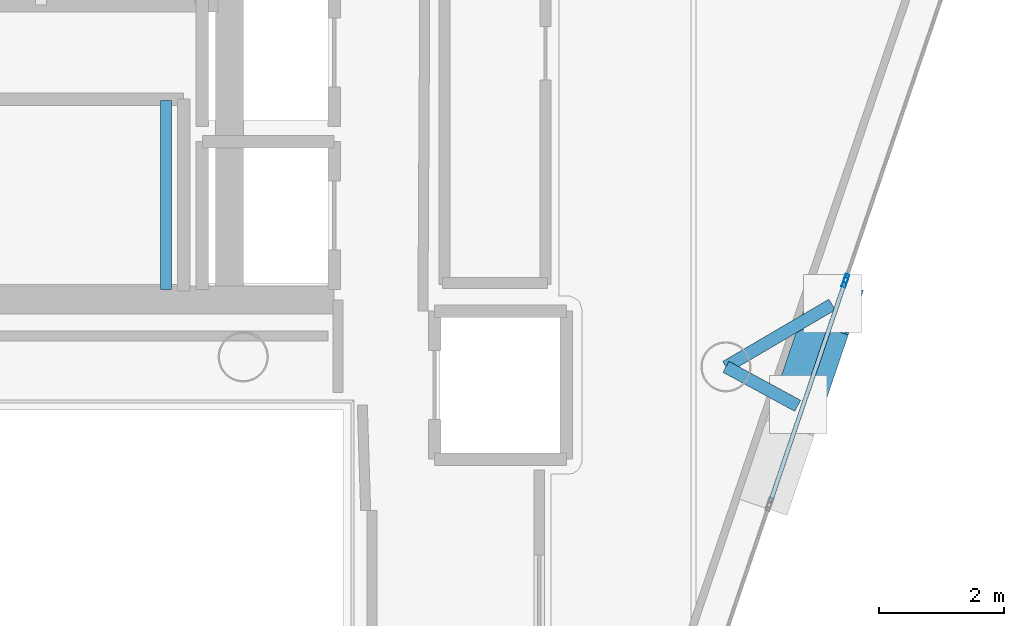
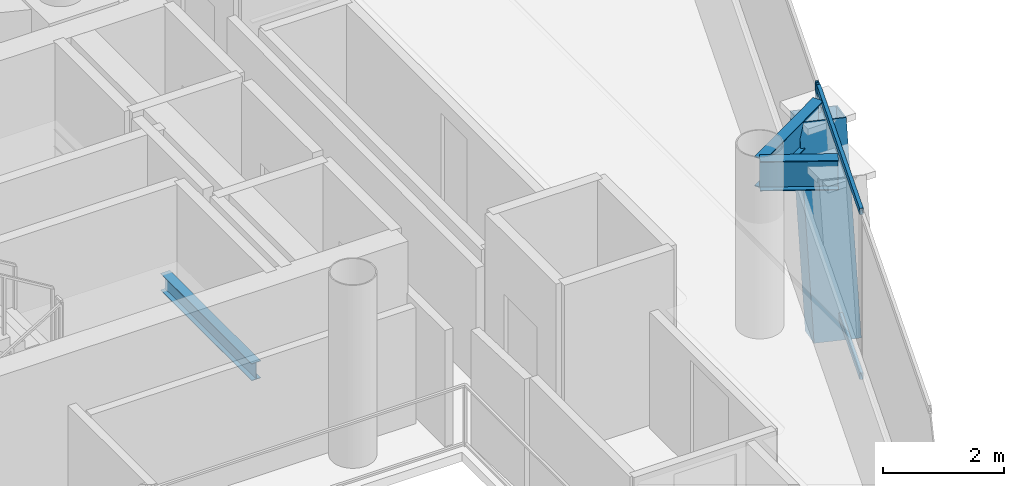
# One storey, part 8 of 18: 5 members, 3 beams, 2 elements without a shape of their own.
"""IFC4 building model written with IfcOpenShell, lengths in metres."""

from ifc_helpers import new_model, si_unit, direction, frame, origin, origin_2d, place, context, subcontext, project, spatial, hollow_rectangle, i_section, extrude, material, layer, layer_set, material_profile, profile_set, type_object, element, aggregate, save


model = new_model("IFC4")

# Units and contexts
model_context = context("Model", 3, precision=1e-05, world=origin(), true_north=direction((0.0, 1.0)))
body_context = subcontext(model_context, "Body", "Model", "MODEL_VIEW")
ifc_project = project(units=[si_unit("LENGTHUNIT", "METRE"), si_unit("AREAUNIT", "SQUARE_METRE"), si_unit("VOLUMEUNIT", "CUBIC_METRE"), si_unit("PLANEANGLEUNIT", "RADIAN"), si_unit("MASSUNIT", "GRAM", prefix="KILO")], contexts=[model_context])

# Site, building, storey
site_placement = place(None, origin())
site = spatial("IfcSite", under=ifc_project, at=site_placement, CompositionType="ELEMENT")
building_placement = place(site_placement, origin())
building = spatial("IfcBuilding", under=site, at=building_placement, Name="Qianvela Tower", CompositionType="ELEMENT")
storey_placement = place(building_placement, frame((0.0, 0.0, 348.10009765625)))
storey = spatial("IfcBuildingStorey", under=building, at=storey_placement, Name="L90", CompositionType="ELEMENT", Elevation=348.10009765625)

# Beams
ifc_material_1 = material(Name="Steel Q355B", Category="steel")
ifc_material_profile_1 = material_profile(ifc_material_1, i_section(OverallWidth=0.175048828125, OverallDepth=0.35009765625, WebThickness=0.007080078125, FlangeThickness=0.010986328125, at=origin_2d()), Name="HN350x175x7x11")
ifc_profile_set_1 = profile_set([ifc_material_profile_1], Name="Steel Q355B")
beam_type_1 = type_object("IfcBeamType", Name="BM-HN350-JOIST", PredefinedType="JOIST", material=ifc_profile_set_1)
beam_1_placement = place(storey_placement, frame((37.169921875, 24.919921875, 1.474853515625), z_axis=(0.0, 1.0, 0.0), x_axis=(-1.0, 0.0, 0.0)))
element("IfcBeam", 1, at=beam_1_placement, inside=storey, type_object=beam_type_1, Name="L90 Stair ST-2 Landing Support Beam 1.2", PredefinedType="JOIST", context=body_context, shape_type="SweptSolid", body=[
    extrude(i_section(OverallWidth=0.175048828125, OverallDepth=0.35009765625, WebThickness=0.007080078125, FlangeThickness=0.010986328125, at=origin_2d()), origin(), (0.0, 0.0, 1.0), 3.02001953125),
])
ifc_material_2 = material(Name="Steel Q355B", Category="steel")
ifc_material_profile_2 = material_profile(ifc_material_2, i_section(OverallWidth=0.199951171875, OverallDepth=0.60009765625, WebThickness=0.010986328125, FlangeThickness=0.01708984375, at=origin_2d()), Name="HN600x200x11x17")
ifc_profile_set_2 = profile_set([ifc_material_profile_2], Name="Steel Q355B")
beam_type_2 = type_object("IfcBeamType", Name="BM-HN600-GIRD", PredefinedType="BEAM", material=ifc_profile_set_2)
beam_2_placement = place(storey_placement, frame((46.094970703125, 23.69091796875, 3.097900390625), z_axis=(0.878839950716, -0.477116695395, 0.0), x_axis=(0.477116695395, 0.878839950716, 0.0)))
element("IfcBeam", 2, at=beam_2_placement, inside=storey, type_object=beam_type_2, Name="L90 Mega-Brace Column Tie Bracket F3-1", PredefinedType="BEAM", context=body_context, shape_type="SweptSolid", body=[
    extrude(i_section(OverallWidth=0.199951171875, OverallDepth=0.60009765625, WebThickness=0.010986328125, FlangeThickness=0.01708984375, at=origin_2d()), origin(), (0.0, 0.0, 1.0), 1.3017578125),
])
beam_3_placement = place(storey_placement, frame((46.094970703125, 23.69091796875, 3.097900390625), z_axis=(0.862774752602, 0.505588494995, 0.0), x_axis=(-0.505588494995, 0.862774752602, 0.0)))
element("IfcBeam", 3, at=beam_3_placement, inside=storey, type_object=beam_type_2, Name="L90 Mega-Brace Column Tie Bracket F3-2", PredefinedType="BEAM", context=body_context, shape_type="SweptSolid", body=[
    extrude(i_section(OverallWidth=0.199951171875, OverallDepth=0.60009765625, WebThickness=0.010986328125, FlangeThickness=0.01708984375, at=origin_2d()), origin(), (0.0, 0.0, 1.0), 1.9609375),
])

# Curtain wall, members
ifc_material_3 = material(Name="Anodised Architectural Aluminium and Insulated Spandrel Panel", Category="aluminium")
ifc_layer_1 = layer(ifc_material_3, 0.179931640625)
ifc_layer_set_1 = layer_set([ifc_layer_1], Name="Anodised Architectural Aluminium and Insulated Spandrel Panel")
curtain_wall_type_1 = type_object("IfcCurtainWallType", Name="CW-BRACEBAY", PredefinedType="USERDEFINED", material=ifc_layer_set_1)
curtain_wall_1_placement = place(storey_placement, origin())
curtain_wall_1 = element("IfcCurtainWall", 4, at=curtain_wall_1_placement, inside=storey, type_object=curtain_wall_type_1, Name="L90 CW-BRACEBAY Curtain Wall 06B", ObjectType="CURTAIN_WALL_SYSTEM", PredefinedType="USERDEFINED")
ifc_material_4 = material(Name="Anodised Architectural Aluminium 6063-T6", Category="aluminium")
ifc_material_profile_3 = material_profile(ifc_material_4, hollow_rectangle(XDim=0.06494140625, YDim=0.159912109375, WallThickness=0.0048828125, at=origin_2d()), Name="ALU-MULL-65x160")
ifc_profile_set_3 = profile_set([ifc_material_profile_3], Name="Anodised Architectural Aluminium 6063-T6")
member_type_1 = type_object("IfcMemberType", Name="CW-BRACEBAY-MULL", PredefinedType="MULLION", material=ifc_profile_set_3)
member_1_placement = place(storey_placement, frame((47.9921875, 25.0380859375, 0.0), z_axis=(0.0, 0.0, 1.0), x_axis=(-0.946836742634, 0.321714442943, 0.0)))
member_1 = element("IfcMember", 5, at=member_1_placement, type_object=member_type_1, Name="CW-9 mullion 2", PredefinedType="MULLION", context=body_context, shape_type="SweptSolid", body=[
    extrude(hollow_rectangle(XDim=0.06494140625, YDim=0.159912109375, WallThickness=0.0048828125, at=origin_2d()), origin(), (0.0, 0.0, 1.0), 3.39990234375),
])
ifc_material_5 = material(Name="Anodised Architectural Aluminium 6063-T6", Category="aluminium")
ifc_material_profile_4 = material_profile(ifc_material_5, hollow_rectangle(XDim=0.06494140625, YDim=0.1298828125, WallThickness=0.00439453125, at=origin_2d()), Name="ALU-TRAN-65x130")
ifc_profile_set_4 = profile_set([ifc_material_profile_4], Name="Anodised Architectural Aluminium 6063-T6")
member_type_2 = type_object("IfcMemberType", Name="CW-BRACEBAY-TRAN", PredefinedType="USERDEFINED", material=ifc_profile_set_4)
member_2_placement = place(storey_placement, frame((46.8076171875, 21.55126953125, 0.032470703125), z_axis=(0.321660499461, 0.946855069737, 0.0), x_axis=(-0.946855069737, 0.321660499461, 0.0)))
member_2 = element("IfcMember", 6, at=member_2_placement, type_object=member_type_2, Name="CW-9 transom 1.1", ObjectType="TRANSOM", PredefinedType="USERDEFINED", context=body_context, shape_type="SweptSolid", body=[
    extrude(hollow_rectangle(XDim=0.06494140625, YDim=0.1298828125, WallThickness=0.00439453125, at=origin_2d()), origin(), (0.0, 0.0, 1.0), 3.650146484375),
])
member_3_placement = place(storey_placement, frame((46.8076171875, 21.55126953125, 3.367431640625), z_axis=(0.321660499461, 0.946855069737, 0.0), x_axis=(-0.946855069737, 0.321660499461, 0.0)))
member_3 = element("IfcMember", 7, at=member_3_placement, type_object=member_type_2, Name="CW-9 transom 1.2", ObjectType="TRANSOM", PredefinedType="USERDEFINED", context=body_context, shape_type="SweptSolid", body=[
    extrude(hollow_rectangle(XDim=0.06494140625, YDim=0.1298828125, WallThickness=0.00439453125, at=origin_2d()), origin(), (0.0, 0.0, 1.0), 3.650146484375),
])
aggregate(curtain_wall_1, [member_1, member_2, member_3])

# Curtain wall, member
ifc_material_6 = material(Name="Anodised Architectural Aluminium and Low-E Glass", Category="aluminium")
ifc_layer_2 = layer(ifc_material_6, 0.14990234375)
ifc_layer_set_2 = layer_set([ifc_layer_2], Name="Anodised Architectural Aluminium and Low-E Glass")
curtain_wall_type_2 = type_object("IfcCurtainWallType", Name="CW-COLIV-Z78", PredefinedType="USERDEFINED", material=ifc_layer_set_2)
curtain_wall_2_placement = place(storey_placement, origin())
curtain_wall_2 = element("IfcCurtainWall", 8, at=curtain_wall_2_placement, inside=storey, type_object=curtain_wall_type_2, Name="L90 CW-COLIV-Z78 Curtain Wall 06C", ObjectType="CURTAIN_WALL_SYSTEM", PredefinedType="USERDEFINED")
ifc_material_7 = material(Name="Anodised Architectural Aluminium 6063-T6", Category="aluminium")
ifc_material_profile_5 = material_profile(ifc_material_7, hollow_rectangle(XDim=0.06005859375, YDim=0.139892578125, WallThickness=0.00439453125, at=origin_2d()), Name="ALU-MULL-60x140")
ifc_profile_set_5 = profile_set([ifc_material_profile_5], Name="Anodised Architectural Aluminium 6063-T6")
member_type_3 = type_object("IfcMemberType", Name="CW-COLIV-Z78-MULL", PredefinedType="MULLION", material=ifc_profile_set_5)
member_4_placement = place(storey_placement, frame((48.012451171875, 25.09716796875, 0.0), z_axis=(0.0, 0.0, 1.0), x_axis=(-0.946834992348, 0.321719594159, 0.0)))
member_4 = element("IfcMember", 9, at=member_4_placement, type_object=member_type_3, Name="CW-6 mullion 1", PredefinedType="MULLION", context=body_context, shape_type="SweptSolid", body=[
    extrude(hollow_rectangle(XDim=0.06005859375, YDim=0.139892578125, WallThickness=0.00439453125, at=origin_2d()), origin(), (0.0, 0.0, 1.0), 3.39990234375),
])
aggregate(curtain_wall_2, [member_4])

# Member
ifc_material_8 = material(Name="Steel Q420GJC", Category="steel")
ifc_material_profile_6 = material_profile(ifc_material_8, hollow_rectangle(XDim=0.800048828125, YDim=0.800048828125, WallThickness=0.028076171875, at=origin_2d()), Name="MBOX-800x800x28")
ifc_profile_set_6 = profile_set([ifc_material_profile_6], Name="Steel Q420GJC")
member_type_4 = type_object("IfcMemberType", Name="MBR-MBRACE-800", PredefinedType="BRACE", material=ifc_profile_set_6)
member_5_placement = place(storey_placement, frame((47.373291015625, 23.46533203125, -0.482177734375), z_axis=(0.108725476705, 0.319950709194, 0.941174964819), x_axis=(-0.946824829982, 0.321749500901, 0.0)))
element("IfcMember", 10, at=member_5_placement, inside=storey, type_object=member_type_4, Name="L90 Tier 15 Exterior Mega-Brace F3B", PredefinedType="BRACE", context=body_context, shape_type="SweptSolid", body=[
    extrude(hollow_rectangle(XDim=0.800048828125, YDim=0.800048828125, WallThickness=0.028076171875, at=origin_2d()), origin(), (0.0, 0.0, 1.0), 3.803955078125),
])

save(model, "model.ifc")
